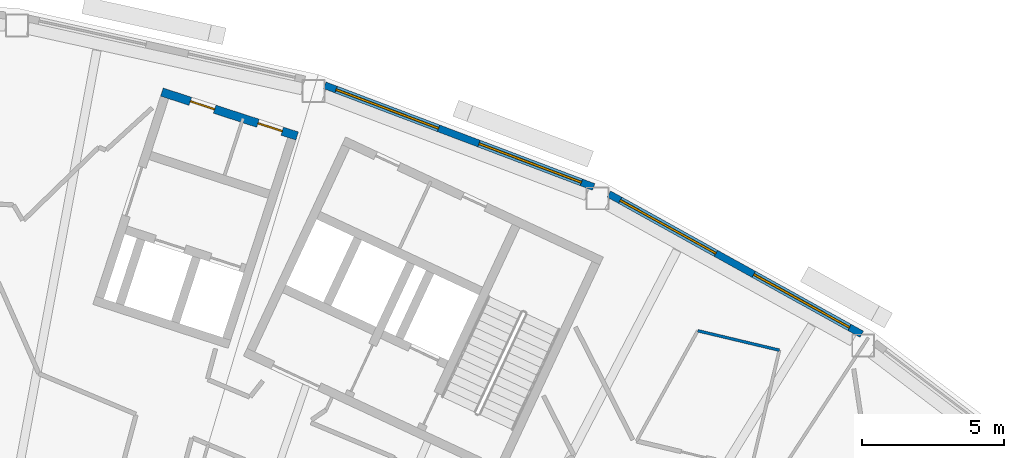
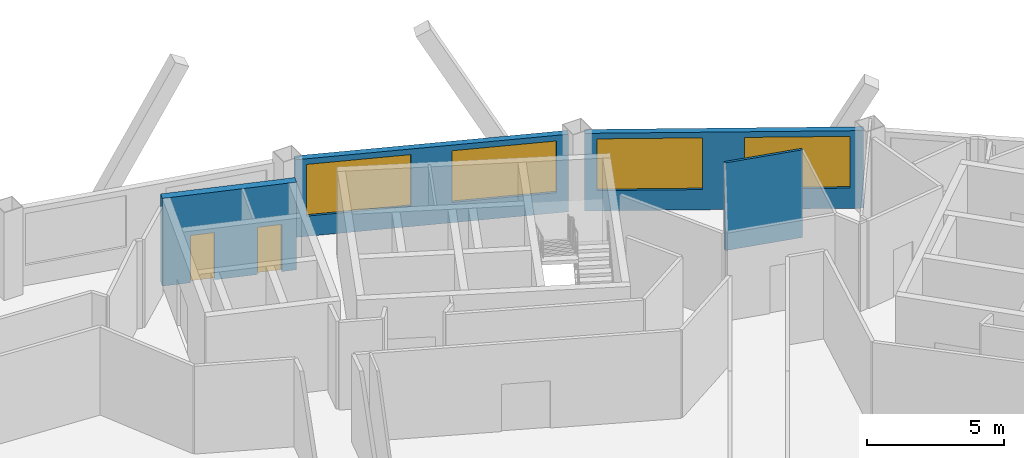
# One storey, part 10 of 13: 4 walls, 4 windows, 2 doors, 6 openings.
"""IFC4 building model written with IfcOpenShell, lengths in metres."""

from ifc_helpers import new_model, si_unit, direction, frame, frame_2d, origin, place, context, subcontext, project, spatial, rectangle, extrude, material, layer, layer_set, type_object, element, fill, save


model = new_model("IFC4")

# Units and contexts
model_context = context("Model", 3, precision=1e-05, world=origin(), true_north=direction((0.0, 1.0)))
body_context = subcontext(model_context, "Body", "Model", "MODEL_VIEW")
ifc_project = project(units=[si_unit("LENGTHUNIT", "METRE"), si_unit("AREAUNIT", "SQUARE_METRE"), si_unit("VOLUMEUNIT", "CUBIC_METRE"), si_unit("PLANEANGLEUNIT", "RADIAN"), si_unit("MASSUNIT", "GRAM", prefix="KILO")], contexts=[model_context])

# Site, building, storey
site_placement = place(None, origin())
site = spatial("IfcSite", under=ifc_project, at=site_placement, CompositionType="ELEMENT")
building_placement = place(site_placement, origin())
building = spatial("IfcBuilding", under=site, at=building_placement, Name="Tuul Gate Civic Tower", CompositionType="ELEMENT")
storey_placement = place(building_placement, frame((0.0, 0.0, 302.60009765625)))
storey = spatial("IfcBuildingStorey", under=building, at=storey_placement, Name="Level 68", CompositionType="ELEMENT", Elevation=302.60009765625)

# Wall, openings, windows
ifc_material_1 = material(Name="Precast concrete C40/50", Category="concrete")
ifc_layer_1 = layer(ifc_material_1, 0.25)
ifc_layer_set_1 = layer_set([ifc_layer_1], Name="Precast concrete C40/50")
wall_type_1 = type_object("IfcWallType", Name="External wall", PredefinedType="STANDARD", material=ifc_layer_set_1)
wall_1_placement = place(storey_placement, frame((47.139404296875, -2.39111328125, 0.0), z_axis=(0.0, 0.0, 1.0), x_axis=(-0.874604551877, 0.484836960055, 0.0)))
wall_1 = element("IfcWall", 1, at=wall_1_placement, inside=storey, type_object=wall_type_1, Name="External wall", PredefinedType="STANDARD", context=body_context, shape_type="SweptSolid", body=[
    extrude(rectangle(XDim=10.16162109375, YDim=0.25, at=frame_2d((5.080810546875, 0.0))), origin(), (0.0, 0.0, 1.0), 3.449951171875),
])
opening_1_placement = place(wall_1_placement, frame((0.489501953125, 0.0, 0.89990234375)))
opening_1 = element("IfcOpeningElement", 2, at=opening_1_placement, cuts=wall_1, Name="Opening W22", PredefinedType="OPENING", context=body_context, shape_type="SweptSolid", body=[
    extrude(rectangle(XDim=3.85009765625, YDim=2.300048828125, at=frame_2d((1.925048828125, 1.14990234375))), frame((0.0, 0.135009765625, 0.0), z_axis=(0.0, -1.0, 0.0), x_axis=(1.0, 0.0, 0.0)), (0.0, 0.0, 1.0), 0.27001953125),
])
opening_2_placement = place(wall_1_placement, frame((5.860595703125, 0.0, 0.89990234375)))
opening_2 = element("IfcOpeningElement", 3, at=opening_2_placement, cuts=wall_1, Name="Opening W22", PredefinedType="OPENING", context=body_context, shape_type="SweptSolid", body=[
    extrude(rectangle(XDim=3.85009765625, YDim=2.300048828125, at=frame_2d((1.925048828125, 1.14990234375))), frame((0.0, 0.135009765625, 0.0), z_axis=(0.0, -1.0, 0.0), x_axis=(1.0, 0.0, 0.0)), (0.0, 0.0, 1.0), 0.27001953125),
])
ifc_material_2 = material(Name="Glass", Category="glass")
window_type = type_object("IfcWindowType", Name="Window W22 3850 x 2300", PartitioningType="SINGLE_PANEL", PredefinedType="WINDOW", material=ifc_material_2)
window_1_placement = place(opening_1_placement, origin())
window_1 = element("IfcWindow", 4, at=window_1_placement, inside=storey, type_object=window_type, Name="Window", OverallHeight=2.300048828125, OverallWidth=3.85009765625, PartitioningType="SINGLE_PANEL", PredefinedType="WINDOW", context=body_context, shape_type="SweptSolid", body=[
    extrude(rectangle(XDim=3.85009765625, YDim=2.300048828125, at=frame_2d((1.925048828125, 1.14990234375))), frame((0.0, 0.030029296875, 0.0), z_axis=(0.0, -1.0, 0.0), x_axis=(1.0, 0.0, 0.0)), (0.0, 0.0, 1.0), 0.06005859375),
])
fill(opening_1, window_1)
window_2_placement = place(opening_2_placement, origin())
window_2 = element("IfcWindow", 5, at=window_2_placement, inside=storey, type_object=window_type, Name="Window", OverallHeight=2.300048828125, OverallWidth=3.85009765625, PartitioningType="SINGLE_PANEL", PredefinedType="WINDOW", context=body_context, shape_type="SweptSolid", body=[
    extrude(rectangle(XDim=3.85009765625, YDim=2.300048828125, at=frame_2d((1.925048828125, 1.14990234375))), frame((0.0, 0.030029296875, 0.0), z_axis=(0.0, -1.0, 0.0), x_axis=(1.0, 0.0, 0.0)), (0.0, 0.0, 1.0), 0.06005859375),
])
fill(opening_2, window_2)

wall_2_placement = place(storey_placement, frame((37.715087890625, 2.784912109375, 0.0), z_axis=(0.0, 0.0, 1.0), x_axis=(-0.935360382643, 0.353696133118, 0.0)))
wall_2 = element("IfcWall", 6, at=wall_2_placement, inside=storey, type_object=wall_type_1, Name="External wall", PredefinedType="STANDARD", context=body_context, shape_type="SweptSolid", body=[
    extrude(rectangle(XDim=10.103271484375, YDim=0.25, at=frame_2d((5.0517578125, 0.0))), origin(), (0.0, 0.0, 1.0), 3.449951171875),
])
opening_3_placement = place(wall_2_placement, frame((0.45849609375, 0.0, 0.89990234375)))
opening_3 = element("IfcOpeningElement", 7, at=opening_3_placement, cuts=wall_2, Name="Opening W22", PredefinedType="OPENING", context=body_context, shape_type="SweptSolid", body=[
    extrude(rectangle(XDim=3.85009765625, YDim=2.300048828125, at=frame_2d((1.925048828125, 1.14990234375))), frame((0.0, 0.135009765625, 0.0), z_axis=(0.0, -1.0, 0.0), x_axis=(1.0, 0.0, 0.0)), (0.0, 0.0, 1.0), 0.27001953125),
])
opening_4_placement = place(wall_2_placement, frame((5.830322265625, 0.0, 0.89990234375)))
opening_4 = element("IfcOpeningElement", 8, at=opening_4_placement, cuts=wall_2, Name="Opening W22", PredefinedType="OPENING", context=body_context, shape_type="SweptSolid", body=[
    extrude(rectangle(XDim=3.85009765625, YDim=2.300048828125, at=frame_2d((1.925048828125, 1.14990234375))), frame((0.0, 0.135009765625, 0.0), z_axis=(0.0, -1.0, 0.0), x_axis=(1.0, 0.0, 0.0)), (0.0, 0.0, 1.0), 0.27001953125),
])
window_3_placement = place(opening_3_placement, origin())
window_3 = element("IfcWindow", 9, at=window_3_placement, inside=storey, type_object=window_type, Name="Window", OverallHeight=2.300048828125, OverallWidth=3.85009765625, PartitioningType="SINGLE_PANEL", PredefinedType="WINDOW", context=body_context, shape_type="SweptSolid", body=[
    extrude(rectangle(XDim=3.85009765625, YDim=2.300048828125, at=frame_2d((1.925048828125, 1.14990234375))), frame((0.0, 0.030029296875, 0.0), z_axis=(0.0, -1.0, 0.0), x_axis=(1.0, 0.0, 0.0)), (0.0, 0.0, 1.0), 0.06005859375),
])
fill(opening_3, window_3)
window_4_placement = place(opening_4_placement, origin())
window_4 = element("IfcWindow", 10, at=window_4_placement, inside=storey, type_object=window_type, Name="Window", OverallHeight=2.300048828125, OverallWidth=3.85009765625, PartitioningType="SINGLE_PANEL", PredefinedType="WINDOW", context=body_context, shape_type="SweptSolid", body=[
    extrude(rectangle(XDim=3.85009765625, YDim=2.300048828125, at=frame_2d((1.925048828125, 1.14990234375))), frame((0.0, 0.030029296875, 0.0), z_axis=(0.0, -1.0, 0.0), x_axis=(1.0, 0.0, 0.0)), (0.0, 0.0, 1.0), 0.06005859375),
])
fill(opening_4, window_4)

# Wall, openings, doors
ifc_material_3 = material(Name="Concrete C40/50", Category="concrete")
ifc_layer_2 = layer(ifc_material_3, 0.300048828125)
ifc_layer_set_2 = layer_set([ifc_layer_2], Name="Concrete C40/50")
wall_type_2 = type_object("IfcWallType", Name="Lift shaft wall C40/50", PredefinedType="STANDARD", material=ifc_layer_set_2)
wall_3_placement = place(storey_placement, frame((27.29150390625, 4.57666015625, 0.0), z_axis=(0.0, 0.0, 1.0), x_axis=(-0.951067792613, 0.308982287281, 0.0)))
wall_3 = element("IfcWall", 11, at=wall_3_placement, inside=storey, type_object=wall_type_2, Name="Shaft wall", PredefinedType="STANDARD", context=body_context, shape_type="SweptSolid", body=[
    extrude(rectangle(XDim=5.0, YDim=0.300048828125, at=frame_2d((2.5, 0.0))), origin(), (0.0, 0.0, 1.0), 3.89990234375),
])
opening_5_placement = place(wall_3_placement, frame((0.550048828125, 0.0, 0.0)))
opening_5 = element("IfcOpeningElement", 12, at=opening_5_placement, cuts=wall_3, Name="Opening Y-D21", PredefinedType="OPENING", context=body_context, shape_type="SweptSolid", body=[
    extrude(rectangle(XDim=0.89990234375, YDim=2.10009765625, at=frame_2d((0.449951171875, 1.050048828125))), frame((0.0, 0.16015625, 0.0), z_axis=(0.0, -1.0, 0.0), x_axis=(1.0, 0.0, 0.0)), (0.0, 0.0, 1.0), 0.320068359375),
])
opening_6_placement = place(wall_3_placement, frame((3.050048828125, 0.0, 0.0)))
opening_6 = element("IfcOpeningElement", 13, at=opening_6_placement, cuts=wall_3, Name="Opening Y-D22", PredefinedType="OPENING", context=body_context, shape_type="SweptSolid", body=[
    extrude(rectangle(XDim=0.89990234375, YDim=2.10009765625, at=frame_2d((0.449951171875, 1.050048828125))), frame((0.0, 0.16015625, 0.0), z_axis=(0.0, -1.0, 0.0), x_axis=(1.0, 0.0, 0.0)), (0.0, 0.0, 1.0), 0.320068359375),
])
ifc_material_4 = material(Name="Timber door leaf", Category="wood")
door_type = type_object("IfcDoorType", Name="Door D09", OperationType="NOTDEFINED", PredefinedType="DOOR", material=ifc_material_4)
door_1_placement = place(opening_5_placement, origin())
door_1 = element("IfcDoor", 14, at=door_1_placement, inside=storey, type_object=door_type, Name="Door Y-D21", OperationType="SINGLE_SWING_LEFT", OverallHeight=2.10009765625, OverallWidth=0.89990234375, PredefinedType="DOOR", context=body_context, shape_type="SweptSolid", body=[
    extrude(rectangle(XDim=0.89990234375, YDim=2.10009765625, at=frame_2d((0.449951171875, 1.050048828125))), frame((0.0, 0.02490234375, 0.0), z_axis=(0.0, -1.0, 0.0), x_axis=(1.0, 0.0, 0.0)), (0.0, 0.0, 1.0), 0.050048828125),
])
fill(opening_5, door_1)
door_2_placement = place(opening_6_placement, origin())
door_2 = element("IfcDoor", 15, at=door_2_placement, inside=storey, type_object=door_type, Name="Door Y-D22", OperationType="SINGLE_SWING_RIGHT", OverallHeight=2.10009765625, OverallWidth=0.89990234375, PredefinedType="DOOR", context=body_context, shape_type="SweptSolid", body=[
    extrude(rectangle(XDim=0.89990234375, YDim=2.10009765625, at=frame_2d((0.449951171875, 1.050048828125))), frame((0.0, 0.02490234375, 0.0), z_axis=(0.0, -1.0, 0.0), x_axis=(1.0, 0.0, 0.0)), (0.0, 0.0, 1.0), 0.050048828125),
])
fill(opening_6, door_2)

# Wall
ifc_material_5 = material(Name="Gypsum board partition")
ifc_layer_3 = layer(ifc_material_5, 0.10009765625)
ifc_layer_set_3 = layer_set([ifc_layer_3], Name="Gypsum board partition")
wall_type_3 = type_object("IfcWallType", Name="Partition P100", PredefinedType="PARTITIONING", material=ifc_layer_set_3)
wall_4_placement = place(storey_placement, frame((41.37548828125, -2.27001953125, 0.0), z_axis=(0.0, 0.0, 1.0), x_axis=(0.972745825444, -0.231874015539, 0.0)))
element("IfcWall", 16, at=wall_4_placement, inside=storey, type_object=wall_type_3, Name="p015", PredefinedType="PARTITIONING", context=body_context, shape_type="SweptSolid", body=[
    extrude(rectangle(XDim=2.951171875, YDim=0.10009765625, at=frame_2d((1.4755859375, 0.0))), origin(), (0.0, 0.0, 1.0), 3.89990234375),
])

save(model, "model.ifc")
